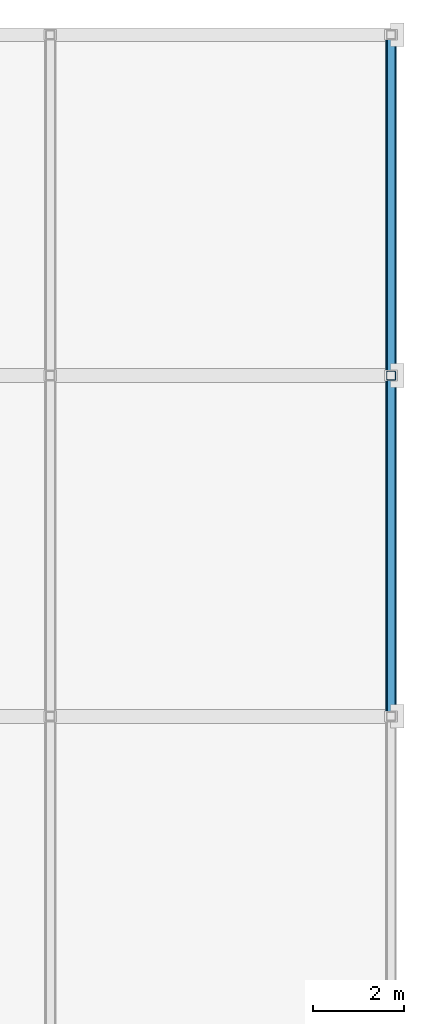
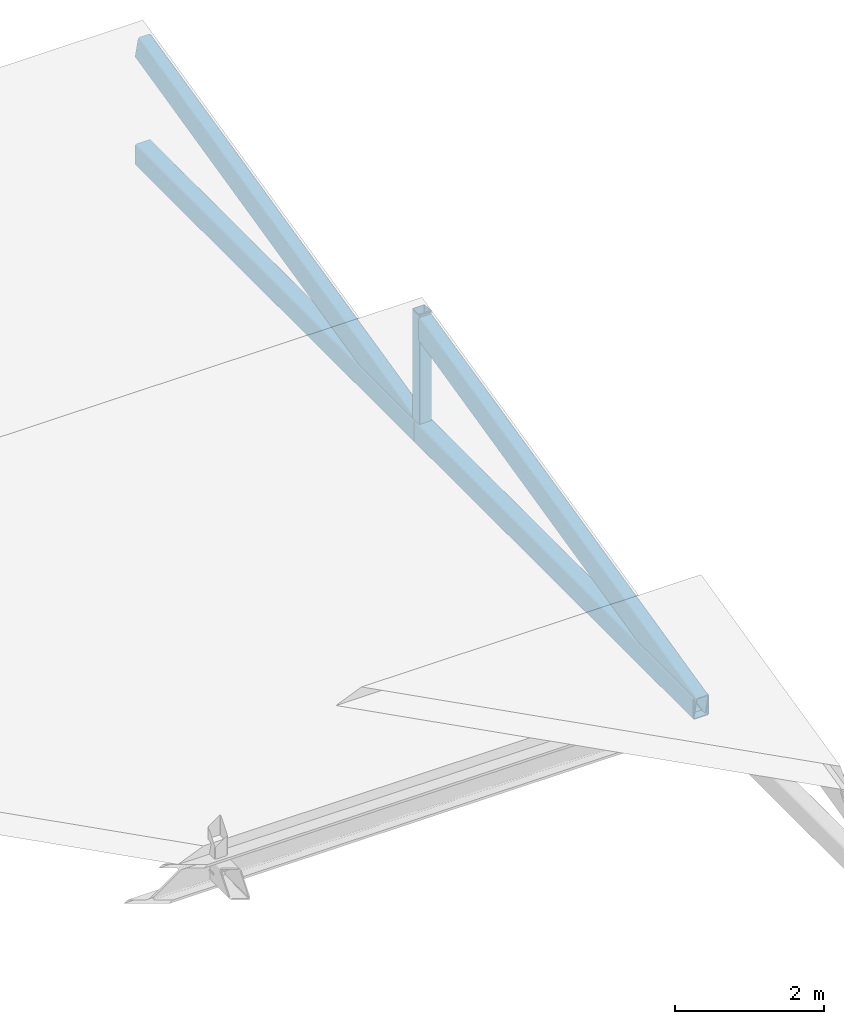
# One storey, part 47 of 82: 5 members.
"""IFC4 building model written with IfcOpenShell, lengths in metres."""

from ifc_helpers import new_model, si_unit, direction, frame, origin, origin_2d, place, context, subcontext, project, spatial, hollow_rectangle, extrude, material, material_profile, profile_set, type_object, element, save


model = new_model("IFC4")

# Units and contexts
model_context = context("Model", 3, precision=1e-05, world=origin(), true_north=direction((0.0, 1.0)))
body_context = subcontext(model_context, "Body", "Model", "MODEL_VIEW")
ifc_project = project(units=[si_unit("LENGTHUNIT", "METRE"), si_unit("AREAUNIT", "SQUARE_METRE"), si_unit("VOLUMEUNIT", "CUBIC_METRE"), si_unit("PLANEANGLEUNIT", "RADIAN"), si_unit("MASSUNIT", "GRAM", prefix="KILO")], contexts=[model_context])

# Site, building, storey
site_placement = place(None, origin())
site = spatial("IfcSite", under=ifc_project, at=site_placement, CompositionType="ELEMENT")
building_placement = place(site_placement, origin())
building = spatial("IfcBuilding", under=site, at=building_placement, Name="Qasida Concert Hall", CompositionType="ELEMENT")
storey_placement = place(building_placement, frame((0.0, 0.0, 17.10009765625)))
storey = spatial("IfcBuildingStorey", under=building, at=storey_placement, Name="L04", CompositionType="ELEMENT", Elevation=17.10009765625)

# Members
ifc_material = material(Name="Steel S355J2", Category="steel")
ifc_material_profile_1 = material_profile(ifc_material, hollow_rectangle(XDim=0.199951171875, YDim=0.39990234375, WallThickness=0.01611328125, InnerFilletRadius=0.01611328125, OuterFilletRadius=0.031982421875, at=origin_2d()), Name="RHS 400x200x16")
ifc_profile_set_1 = profile_set([ifc_material_profile_1], Name="Steel S355J2")
member_type_1 = type_object("IfcMemberType", Name="MB-CH4", PredefinedType="CHORD", material=ifc_profile_set_1)
for number, where, z_axis, x_axis, name in (
    (1, (165.0, 97.5, 0.0), (0.0, 0.973841209742, 0.227229615606), (-1.0, 0.0, 0.0), "Roof truss sawtooth rafter V4R-083"),
    (2, (165.0, 105.0, 0.0), (0.0, 0.973841209742, 0.227229615606), (-1.0, 0.0, 0.0), "Roof truss sawtooth rafter V4R-101"),
):
    element("IfcMember", number, at=place(storey_placement, frame(where, z_axis=z_axis, x_axis=x_axis)), inside=storey, type_object=member_type_1, Name=name, PredefinedType="CHORD", context=body_context, shape_type="SweptSolid", body=[
        extrude(hollow_rectangle(XDim=0.199951171875, YDim=0.39990234375, WallThickness=0.01611328125, InnerFilletRadius=0.01611328125, OuterFilletRadius=0.031982421875, at=origin_2d()), origin(), (0.0, 0.0, 1.0), 7.701416015625),
    ])
ifc_material_profile_2 = material_profile(ifc_material, hollow_rectangle(XDim=0.25, YDim=0.35009765625, WallThickness=0.01611328125, InnerFilletRadius=0.01611328125, OuterFilletRadius=0.031982421875, at=origin_2d()), Name="RHS 350x250x16")
ifc_profile_set_2 = profile_set([ifc_material_profile_2], Name="Steel S355J2")
member_type_2 = type_object("IfcMemberType", Name="MB-CH5", PredefinedType="CHORD", material=ifc_profile_set_2)
for number, where, z_axis, x_axis, name in (
    (3, (165.0, 97.5, 0.0), (0.0, 1.0, 0.0), (-1.0, 0.0, 0.0), "Roof truss sawtooth tie V4B-082"),
    (4, (165.0, 105.0, 0.0), (0.0, 1.0, 0.0), (-1.0, 0.0, 0.0), "Roof truss sawtooth tie V4B-100"),
):
    element("IfcMember", number, at=place(storey_placement, frame(where, z_axis=z_axis, x_axis=x_axis)), inside=storey, type_object=member_type_2, Name=name, PredefinedType="CHORD", context=body_context, shape_type="SweptSolid", body=[
        extrude(hollow_rectangle(XDim=0.25, YDim=0.35009765625, WallThickness=0.01611328125, InnerFilletRadius=0.01611328125, OuterFilletRadius=0.031982421875, at=origin_2d()), origin(), (0.0, 0.0, 1.0), 7.5),
    ])
ifc_material_profile_3 = material_profile(ifc_material, hollow_rectangle(XDim=0.199951171875, YDim=0.199951171875, WallThickness=0.010009765625, InnerFilletRadius=0.010009765625, OuterFilletRadius=0.02001953125, at=origin_2d()), Name="SHS 200x200x10")
ifc_profile_set_3 = profile_set([ifc_material_profile_3], Name="Steel S355J2")
member_type_3 = type_object("IfcMemberType", Name="MB-ST6", PredefinedType="STRUT", material=ifc_profile_set_3)
member_placement = place(storey_placement, frame((165.0, 105.0, 0.0), z_axis=(0.0, 0.0, 1.0), x_axis=(1.0, 0.0, 0.0)))
element("IfcMember", 5, at=member_placement, inside=storey, type_object=member_type_3, Name="Roof truss sawtooth post V4V-084", PredefinedType="STRUT", context=body_context, shape_type="SweptSolid", body=[
    extrude(hollow_rectangle(XDim=0.199951171875, YDim=0.199951171875, WallThickness=0.010009765625, InnerFilletRadius=0.010009765625, OuterFilletRadius=0.02001953125, at=origin_2d()), origin(), (0.0, 0.0, 1.0), 1.9599609375),
])

save(model, "model.ifc")
